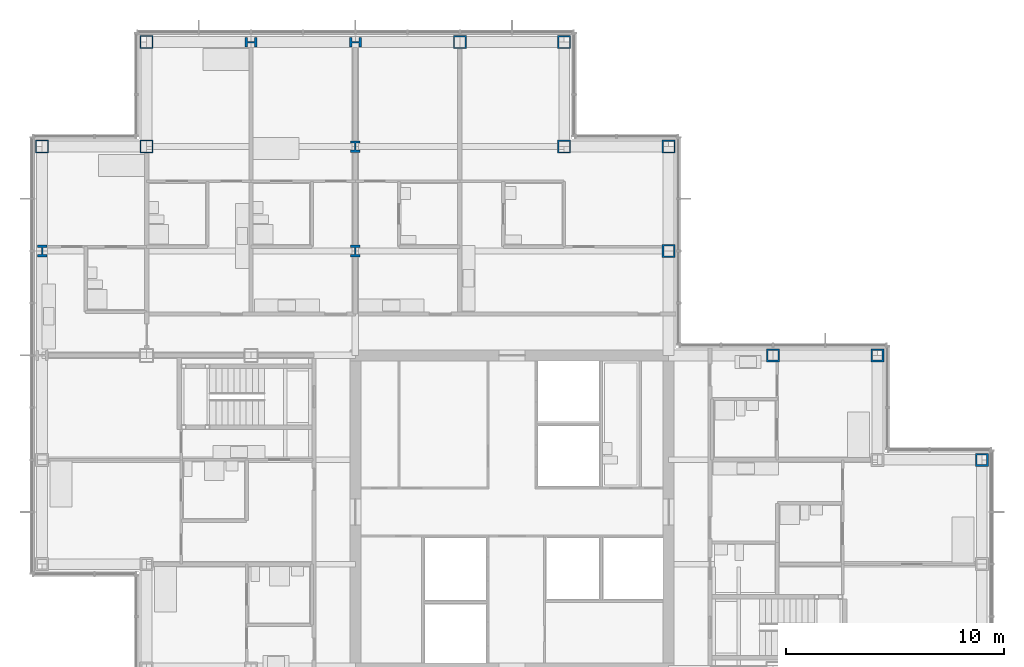
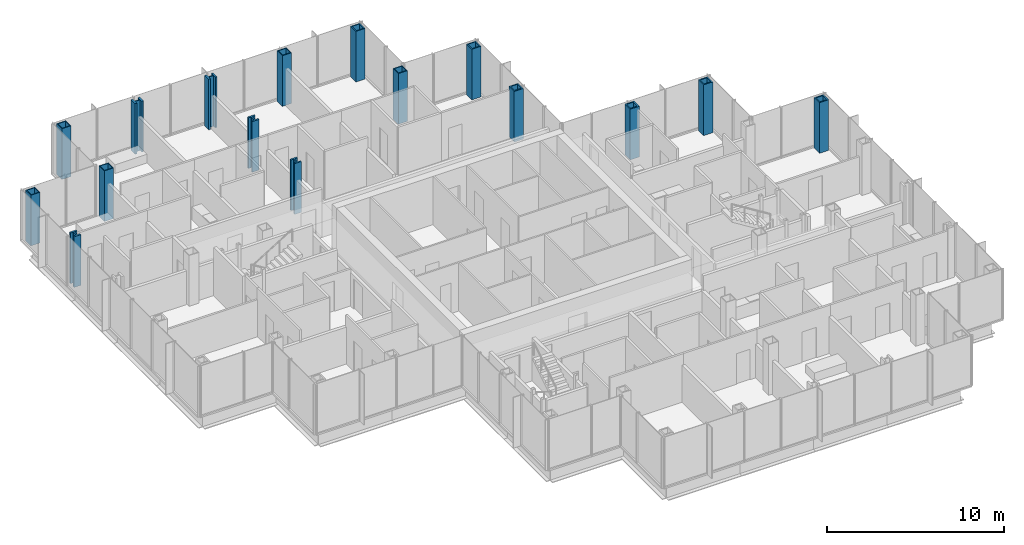
# One storey, part 5 of 20: 16 columns.
"""IFC4 building model written with IfcOpenShell, lengths in metres."""

from ifc_helpers import new_model, si_unit, direction, frame, origin, origin_2d, place, context, subcontext, project, spatial, hollow_rectangle, i_section, extrude, material, material_profile, profile_set, type_object, element, save


model = new_model("IFC4")

# Units and contexts
model_context = context("Model", 3, precision=1e-05, world=origin(), true_north=direction((0.0, 1.0)))
body_context = subcontext(model_context, "Body", "Model", "MODEL_VIEW")
ifc_project = project(units=[si_unit("LENGTHUNIT", "METRE"), si_unit("AREAUNIT", "SQUARE_METRE"), si_unit("VOLUMEUNIT", "CUBIC_METRE"), si_unit("PLANEANGLEUNIT", "RADIAN"), si_unit("MASSUNIT", "GRAM", prefix="KILO")], contexts=[model_context])

# Site, building, storey
site_placement = place(None, origin())
site = spatial("IfcSite", under=ifc_project, at=site_placement, CompositionType="ELEMENT")
building_placement = place(site_placement, origin())
building = spatial("IfcBuilding", under=site, at=building_placement, Name="Kvirike Care Tower", CompositionType="ELEMENT")
storey_placement = place(building_placement, frame((0.0, 0.0, 112.0)))
storey = spatial("IfcBuildingStorey", under=building, at=storey_placement, Name="L30", CompositionType="ELEMENT", Elevation=112.0)

# Columns
ifc_material_1 = material(Name="Steel S460", Category="steel")
ifc_material_profile_1 = material_profile(ifc_material_1, hollow_rectangle(XDim=0.60009765625, YDim=0.60009765625, WallThickness=0.050048828125, at=origin_2d()), Name="BX 600x600x50")
ifc_profile_set_1 = profile_set([ifc_material_profile_1], Name="Steel S460")
column_type_1 = type_object("IfcColumnType", Name="COLUMN BX 600x600x50", PredefinedType="COLUMN", material=ifc_profile_set_1)
for number, where, z_axis, x_axis, name in (
    (1, (0.0, 52.800048828125, 0.0), (0.0, 0.0, 1.0), (0.0, 1.0, 0.0), "Column M3 L30"),
    (2, (4.800048828125, 52.800048828125, 0.0), (0.0, 0.0, 1.0), (0.0, 1.0, 0.0), "Column M4 L30"),
    (3, (4.800048828125, 57.60009765625, 0.0), (0.0, 0.0, 1.0), (0.0, 1.0, 0.0), "Column N4 L30"),
):
    element("IfcColumn", number, at=place(storey_placement, frame(where, z_axis=z_axis, x_axis=x_axis)), inside=storey, type_object=column_type_1, Name=name, PredefinedType="COLUMN", context=body_context, shape_type="SweptSolid", body=[
        extrude(hollow_rectangle(XDim=0.60009765625, YDim=0.60009765625, WallThickness=0.050048828125, at=origin_2d()), origin(), (0.0, 0.0, 1.0), 3.5),
    ])
ifc_material_2 = material(Name="Steel S460", Category="steel")
ifc_material_profile_2 = material_profile(ifc_material_2, hollow_rectangle(XDim=0.60009765625, YDim=0.60009765625, WallThickness=0.06005859375, at=origin_2d()), Name="BX 600x600x60")
ifc_profile_set_2 = profile_set([ifc_material_profile_2], Name="Steel S460")
column_type_2 = type_object("IfcColumnType", Name="COLUMN BX 600x600x60", PredefinedType="COLUMN", material=ifc_profile_set_2)
for number, where, z_axis, x_axis, name in (
    (4, (19.199951171875, 57.60009765625, 0.0), (0.0, 0.0, 1.0), (0.0, 1.0, 0.0), "Column N7 L30"),
    (5, (24.0, 52.800048828125, 0.0), (0.0, 0.0, 1.0), (0.0, 1.0, 0.0), "Column M8 L30"),
    (6, (24.0, 57.60009765625, 0.0), (0.0, 0.0, 1.0), (0.0, 1.0, 0.0), "Column N8 L30"),
    (7, (28.800048828125, 52.800048828125, 0.0), (0.0, 0.0, 1.0), (0.0, 1.0, 0.0), "Column M9 L30"),
):
    element("IfcColumn", number, at=place(storey_placement, frame(where, z_axis=z_axis, x_axis=x_axis)), inside=storey, type_object=column_type_2, Name=name, PredefinedType="COLUMN", context=body_context, shape_type="SweptSolid", body=[
        extrude(hollow_rectangle(XDim=0.60009765625, YDim=0.60009765625, WallThickness=0.06005859375, at=origin_2d()), origin(), (0.0, 0.0, 1.0), 3.5),
    ])
ifc_material_3 = material(Name="Steel S460", Category="steel")
ifc_material_profile_3 = material_profile(ifc_material_3, hollow_rectangle(XDim=0.60009765625, YDim=0.60009765625, WallThickness=0.080078125, at=origin_2d()), Name="BX 600x600x80")
ifc_profile_set_3 = profile_set([ifc_material_profile_3], Name="Steel S460")
column_type_3 = type_object("IfcColumnType", Name="COLUMN BX 600x600x80", PredefinedType="COLUMN", material=ifc_profile_set_3)
for number, where, z_axis, x_axis, name in (
    (8, (28.800048828125, 48.0, 0.0), (0.0, 0.0, 1.0), (1.0, 0.0, 0.0), "Column L9 L30"),
    (9, (33.60009765625, 43.199951171875, 0.0), (0.0, 0.0, 1.0), (0.0, 1.0, 0.0), "Column K10 L30"),
    (10, (38.39990234375, 43.199951171875, 0.0), (0.0, 0.0, 1.0), (0.0, 1.0, 0.0), "Column K11 L30"),
    (11, (43.199951171875, 38.39990234375, 0.0), (0.0, 0.0, 1.0), (0.0, 1.0, 0.0), "Column J12 L30"),
):
    element("IfcColumn", number, at=place(storey_placement, frame(where, z_axis=z_axis, x_axis=x_axis)), inside=storey, type_object=column_type_3, Name=name, PredefinedType="COLUMN", context=body_context, shape_type="SweptSolid", body=[
        extrude(hollow_rectangle(XDim=0.60009765625, YDim=0.60009765625, WallThickness=0.080078125, at=origin_2d()), origin(), (0.0, 0.0, 1.0), 3.5),
    ])
ifc_material_4 = material(Name="Steel S460", Category="steel")
ifc_material_profile_4 = material_profile(ifc_material_4, i_section(OverallWidth=0.44189453125, OverallDepth=0.531005859375, WebThickness=0.06591796875, FlangeThickness=0.10595703125, FilletRadius=0.014892578125, at=origin_2d()), Name="HD 400x900")
ifc_profile_set_4 = profile_set([ifc_material_profile_4], Name="Steel S460")
column_type_4 = type_object("IfcColumnType", Name="COLUMN HD 400x900", PredefinedType="COLUMN", material=ifc_profile_set_4)
for number, where, z_axis, x_axis, name in (
    (12, (14.39990234375, 48.0, 0.0), (0.0, 0.0, 1.0), (1.0, 0.0, 0.0), "Column L6 L30"),
    (13, (14.39990234375, 52.800048828125, 0.0), (0.0, 0.0, 1.0), (1.0, 0.0, 0.0), "Column M6 L30"),
):
    element("IfcColumn", number, at=place(storey_placement, frame(where, z_axis=z_axis, x_axis=x_axis)), inside=storey, type_object=column_type_4, Name=name, PredefinedType="COLUMN", context=body_context, shape_type="SweptSolid", body=[
        extrude(i_section(OverallWidth=0.44189453125, OverallDepth=0.531005859375, WebThickness=0.06591796875, FlangeThickness=0.10595703125, FilletRadius=0.014892578125, at=origin_2d()), origin(), (0.0, 0.0, 1.0), 3.5),
    ])
ifc_material_5 = material(Name="Steel S460", Category="steel")
ifc_material_profile_5 = material_profile(ifc_material_5, i_section(OverallWidth=0.447998046875, OverallDepth=0.550048828125, WebThickness=0.072021484375, FlangeThickness=0.114990234375, FilletRadius=0.014892578125, at=origin_2d()), Name="HD 400x990")
ifc_profile_set_5 = profile_set([ifc_material_profile_5], Name="Steel S460")
column_type_5 = type_object("IfcColumnType", Name="COLUMN HD 400x990", PredefinedType="COLUMN", material=ifc_profile_set_5)
for number, where, z_axis, x_axis, name in (
    (14, (0.0, 48.0, 0.0), (0.0, 0.0, 1.0), (1.0, 0.0, 0.0), "Column L3 L30"),
    (15, (9.60009765625, 57.60009765625, 0.0), (0.0, 0.0, 1.0), (0.0, 1.0, 0.0), "Column N5 L30"),
    (16, (14.39990234375, 57.60009765625, 0.0), (0.0, 0.0, 1.0), (0.0, 1.0, 0.0), "Column N6 L30"),
):
    element("IfcColumn", number, at=place(storey_placement, frame(where, z_axis=z_axis, x_axis=x_axis)), inside=storey, type_object=column_type_5, Name=name, PredefinedType="COLUMN", context=body_context, shape_type="SweptSolid", body=[
        extrude(i_section(OverallWidth=0.447998046875, OverallDepth=0.550048828125, WebThickness=0.072021484375, FlangeThickness=0.114990234375, FilletRadius=0.014892578125, at=origin_2d()), origin(), (0.0, 0.0, 1.0), 3.5),
    ])

save(model, "model.ifc")
